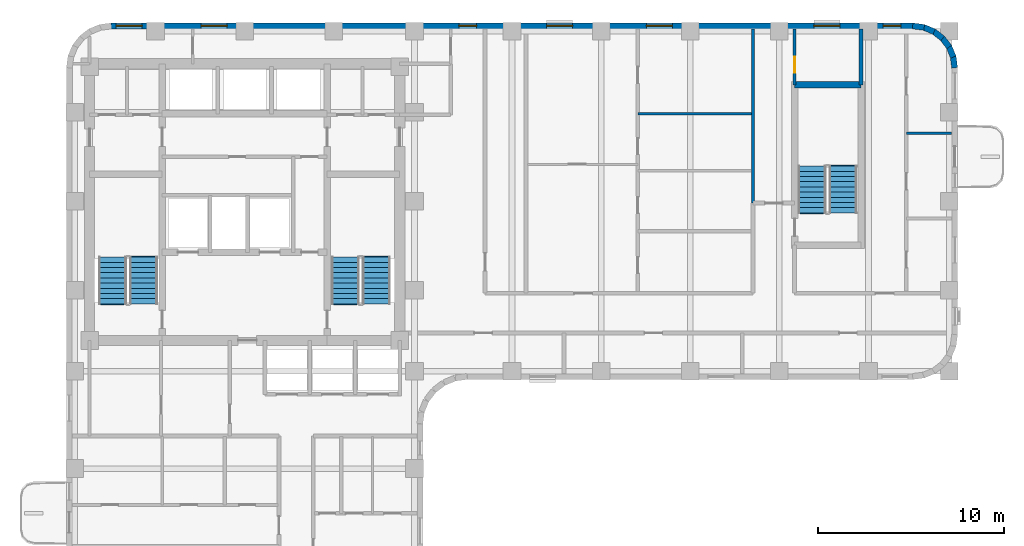
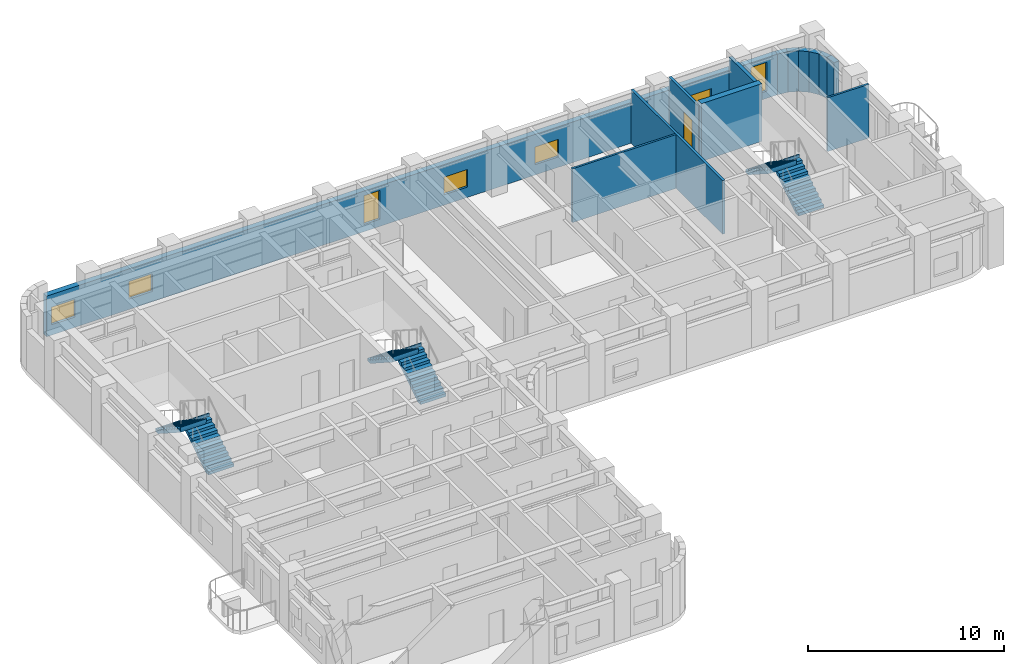
# One storey, part 7 of 10: 13 walls, 7 windows, 6 stair flights, 1 door, 8 openings, 3 elements without a shape of their own.
"""IFC4 building model written with IfcOpenShell, lengths in metres."""

from ifc_helpers import new_model, si_unit, direction, frame, frame_2d, origin, place, context, subcontext, project, spatial, polyline, rectangle, outline, extrude, material, layer, layer_set, type_object, element, fill, aggregate, save


model = new_model("IFC4")

# Units and contexts
model_context = context("Model", 3, precision=1e-05, world=origin(), true_north=direction((0.0, 1.0)))
body_context = subcontext(model_context, "Body", "Model", "MODEL_VIEW")
ifc_project = project(units=[si_unit("LENGTHUNIT", "METRE"), si_unit("AREAUNIT", "SQUARE_METRE"), si_unit("VOLUMEUNIT", "CUBIC_METRE"), si_unit("PLANEANGLEUNIT", "RADIAN"), si_unit("MASSUNIT", "GRAM", prefix="KILO")], contexts=[model_context])

# Site, building, storey
site_placement = place(None, origin())
site = spatial("IfcSite", under=ifc_project, at=site_placement, CompositionType="ELEMENT")
building_placement = place(site_placement, origin())
building = spatial("IfcBuilding", under=site, at=building_placement, Name="Orvandelia Arch Residences", CompositionType="ELEMENT")
storey_placement = place(building_placement, frame((0.0, 0.0, 139.60009765625)))
storey = spatial("IfcBuildingStorey", under=building, at=storey_placement, Name="L36", CompositionType="ELEMENT", Elevation=139.60009765625)

# Walls
ifc_material_1 = material(Name="Concrete C50/60", Category="concrete")
ifc_layer_1 = layer(ifc_material_1, 0.35009765625, Name="Concrete C50/60", Category="concrete")
ifc_layer_set_1 = layer_set([ifc_layer_1], Name="Concrete C50/60")
wall_type_1 = type_object("IfcWallType", Name="WL-CORE-350", PredefinedType="SHEAR", material=ifc_layer_set_1)
wall_1_placement = place(storey_placement, frame((44.02001953125, 44.659912109375, 0.0), z_axis=(0.0, 0.0, 1.0), x_axis=(1.0, 0.0, 0.0)))
element("IfcWall", 1, at=wall_1_placement, inside=storey, type_object=wall_type_1, Name="East Stair Core Shear Wall L36-N", PredefinedType="SHEAR", context=body_context, shape_type="SweptSolid", body=[
    extrude(rectangle(XDim=3.580078125, YDim=0.35009765625, at=frame_2d((1.7900390625, 0.0))), origin(), (0.0, 0.0, 1.0), 3.599853515625),
])
ifc_material_2 = material(Name="Concrete C40/50", Category="concrete")
ifc_layer_2 = layer(ifc_material_2, 0.199951171875, Name="Concrete C40/50", Category="concrete")
ifc_layer_set_2 = layer_set([ifc_layer_2], Name="Concrete C40/50")
wall_type_2 = type_object("IfcWallType", Name="WL-DEM-200", PredefinedType="SOLIDWALL", material=ifc_layer_set_2)
wall_2_placement = place(storey_placement, frame((47.60009765625, 44.659912109375, 0.0), z_axis=(0.0, 0.0, 1.0), x_axis=(0.0, 1.0, 0.0)))
element("IfcWall", 2, at=wall_2_placement, inside=storey, type_object=wall_type_2, Name="Interior Partition Wall WL-L36-ES-NST3E", PredefinedType="SOLIDWALL", context=body_context, shape_type="SweptSolid", body=[
    extrude(rectangle(XDim=3.02001953125, YDim=0.199951171875, at=frame_2d((1.510009765625, 0.0))), origin(), (0.0, 0.0, 1.0), 3.35986328125),
])

# Wall, openings, windows
ifc_material_3 = material(Name="Precast concrete C40/50", Category="concrete")
ifc_layer_3 = layer(ifc_material_3, 0.320068359375, Name="Precast concrete C40/50", Category="concrete")
ifc_layer_set_3 = layer_set([ifc_layer_3], Name="Precast concrete C40/50")
wall_type_3 = type_object("IfcWallType", Name="WL-EXT-STONE-320", PredefinedType="STANDARD", material=ifc_layer_set_3)
wall_3_placement = place(storey_placement, frame((7.199951171875, 47.840087890625, 0.0), z_axis=(0.0, 0.0, 1.0), x_axis=(1.0, 0.0, 0.0)))
wall_3 = element("IfcWall", 3, at=wall_3_placement, inside=storey, type_object=wall_type_3, Name="Coral-Limestone Precast Facade Wall L36-007", PredefinedType="STANDARD", context=body_context, shape_type="SweptSolid", body=[
    extrude(rectangle(XDim=43.199951171875, YDim=0.320068359375, at=frame_2d((21.60009765625, 0.0))), origin(), (0.0, 0.0, 1.0), 2.539794921875),
])
opening_1_placement = place(wall_3_placement, frame((28.841064453125, 0.0, 0.64990234375)))
opening_1 = element("IfcOpeningElement", 4, at=opening_1_placement, cuts=wall_3, Name="Opening W10", PredefinedType="OPENING", context=body_context, shape_type="SweptSolid", body=[
    extrude(rectangle(XDim=1.39990234375, YDim=1.10009765625, at=frame_2d((0.699951171875, 0.550048828125))), frame((0.0, 0.169921875, 0.0), z_axis=(0.0, -1.0, 0.0), x_axis=(1.0, 0.0, 0.0)), (0.0, 0.0, 1.0), 0.340087890625),
])
opening_2_placement = place(wall_3_placement, frame((18.739990234375, 0.0, 0.449951171875)))
opening_2 = element("IfcOpeningElement", 5, at=opening_2_placement, cuts=wall_3, Name="Opening W4", PredefinedType="OPENING", context=body_context, shape_type="SweptSolid", body=[
    extrude(rectangle(XDim=0.949951171875, YDim=1.800048828125, at=frame_2d((0.47509765625, 0.89990234375))), frame((0.0, 0.169921875, 0.0), z_axis=(0.0, -1.0, 0.0), x_axis=(1.0, 0.0, 0.0)), (0.0, 0.0, 1.0), 0.340087890625),
])
opening_3_placement = place(wall_3_placement, frame((37.862548828125, 0.0, 0.64990234375)))
opening_3 = element("IfcOpeningElement", 6, at=opening_3_placement, cuts=wall_3, Name="Opening W10", PredefinedType="OPENING", context=body_context, shape_type="SweptSolid", body=[
    extrude(rectangle(XDim=1.39990234375, YDim=1.10009765625, at=frame_2d((0.699951171875, 0.550048828125))), frame((0.0, 0.169921875, 0.0), z_axis=(0.0, -1.0, 0.0), x_axis=(1.0, 0.0, 0.0)), (0.0, 0.0, 1.0), 0.340087890625),
])
opening_4_placement = place(wall_3_placement, frame((0.282470703125, 0.0, 0.64990234375)))
opening_4 = element("IfcOpeningElement", 7, at=opening_4_placement, cuts=wall_3, Name="Opening W10", PredefinedType="OPENING", context=body_context, shape_type="SweptSolid", body=[
    extrude(rectangle(XDim=1.39990234375, YDim=1.10009765625, at=frame_2d((0.699951171875, 0.550048828125))), frame((0.0, 0.169921875, 0.0), z_axis=(0.0, -1.0, 0.0), x_axis=(1.0, 0.0, 0.0)), (0.0, 0.0, 1.0), 0.340087890625),
])
opening_5_placement = place(wall_3_placement, frame((4.8525390625, 0.0, 0.64990234375)))
opening_5 = element("IfcOpeningElement", 8, at=opening_5_placement, cuts=wall_3, Name="Opening W10", PredefinedType="OPENING", context=body_context, shape_type="SweptSolid", body=[
    extrude(rectangle(XDim=1.39990234375, YDim=1.10009765625, at=frame_2d((0.699951171875, 0.550048828125))), frame((0.0, 0.169921875, 0.0), z_axis=(0.0, -1.0, 0.0), x_axis=(1.0, 0.0, 0.0)), (0.0, 0.0, 1.0), 0.340087890625),
])
opening_6_placement = place(wall_3_placement, frame((23.467529296875, 0.0, 0.64990234375)))
opening_6 = element("IfcOpeningElement", 9, at=opening_6_placement, cuts=wall_3, Name="Opening W10", PredefinedType="OPENING", context=body_context, shape_type="SweptSolid", body=[
    extrude(rectangle(XDim=1.39990234375, YDim=1.10009765625, at=frame_2d((0.699951171875, 0.550048828125))), frame((0.0, 0.169921875, 0.0), z_axis=(0.0, -1.0, 0.0), x_axis=(1.0, 0.0, 0.0)), (0.0, 0.0, 1.0), 0.340087890625),
])
opening_7_placement = place(wall_3_placement, frame((41.593994140625, 0.0, 0.449951171875)))
opening_7 = element("IfcOpeningElement", 10, at=opening_7_placement, cuts=wall_3, Name="Opening W4", PredefinedType="OPENING", context=body_context, shape_type="SweptSolid", body=[
    extrude(rectangle(XDim=0.949951171875, YDim=1.800048828125, at=frame_2d((0.47509765625, 0.89990234375))), frame((0.0, 0.169921875, 0.0), z_axis=(0.0, -1.0, 0.0), x_axis=(1.0, 0.0, 0.0)), (0.0, 0.0, 1.0), 0.340087890625),
])
ifc_material_4 = material(Name="Tempered Low-E Insulated Glazing", Category="glass")
window_type_1 = type_object("IfcWindowType", Name="WIN-CLR-1400x1100", PartitioningType="SINGLE_PANEL", PredefinedType="WINDOW", material=ifc_material_4)
window_1_placement = place(opening_1_placement, origin())
window_1 = element("IfcWindow", 11, at=window_1_placement, inside=storey, type_object=window_type_1, Name="Recessed Punched Window L36-001", OverallHeight=1.10009765625, OverallWidth=1.39990234375, PartitioningType="SINGLE_PANEL", PredefinedType="WINDOW", context=body_context, shape_type="SweptSolid", body=[
    extrude(rectangle(XDim=1.39990234375, YDim=1.10009765625, at=frame_2d((0.699951171875, 0.550048828125))), frame((0.0, 0.030029296875, 0.0), z_axis=(0.0, -1.0, 0.0), x_axis=(1.0, 0.0, 0.0)), (0.0, 0.0, 1.0), 0.06005859375),
])
fill(opening_1, window_1)
window_2_placement = place(opening_3_placement, origin())
window_2 = element("IfcWindow", 12, at=window_2_placement, inside=storey, type_object=window_type_1, Name="Recessed Punched Window L36-003", OverallHeight=1.10009765625, OverallWidth=1.39990234375, PartitioningType="SINGLE_PANEL", PredefinedType="WINDOW", context=body_context, shape_type="SweptSolid", body=[
    extrude(rectangle(XDim=1.39990234375, YDim=1.10009765625, at=frame_2d((0.699951171875, 0.550048828125))), frame((0.0, 0.030029296875, 0.0), z_axis=(0.0, -1.0, 0.0), x_axis=(1.0, 0.0, 0.0)), (0.0, 0.0, 1.0), 0.06005859375),
])
fill(opening_3, window_2)
window_3_placement = place(opening_4_placement, origin())
window_3 = element("IfcWindow", 13, at=window_3_placement, inside=storey, type_object=window_type_1, Name="Recessed Punched Window L36-004", OverallHeight=1.10009765625, OverallWidth=1.39990234375, PartitioningType="SINGLE_PANEL", PredefinedType="WINDOW", context=body_context, shape_type="SweptSolid", body=[
    extrude(rectangle(XDim=1.39990234375, YDim=1.10009765625, at=frame_2d((0.699951171875, 0.550048828125))), frame((0.0, 0.030029296875, 0.0), z_axis=(0.0, -1.0, 0.0), x_axis=(1.0, 0.0, 0.0)), (0.0, 0.0, 1.0), 0.06005859375),
])
fill(opening_4, window_3)
window_4_placement = place(opening_5_placement, origin())
window_4 = element("IfcWindow", 14, at=window_4_placement, inside=storey, type_object=window_type_1, Name="Recessed Punched Window L36-005", OverallHeight=1.10009765625, OverallWidth=1.39990234375, PartitioningType="SINGLE_PANEL", PredefinedType="WINDOW", context=body_context, shape_type="SweptSolid", body=[
    extrude(rectangle(XDim=1.39990234375, YDim=1.10009765625, at=frame_2d((0.699951171875, 0.550048828125))), frame((0.0, 0.030029296875, 0.0), z_axis=(0.0, -1.0, 0.0), x_axis=(1.0, 0.0, 0.0)), (0.0, 0.0, 1.0), 0.06005859375),
])
fill(opening_5, window_4)
window_5_placement = place(opening_6_placement, origin())
window_5 = element("IfcWindow", 15, at=window_5_placement, inside=storey, type_object=window_type_1, Name="Recessed Punched Window L36-006", OverallHeight=1.10009765625, OverallWidth=1.39990234375, PartitioningType="SINGLE_PANEL", PredefinedType="WINDOW", context=body_context, shape_type="SweptSolid", body=[
    extrude(rectangle(XDim=1.39990234375, YDim=1.10009765625, at=frame_2d((0.699951171875, 0.550048828125))), frame((0.0, 0.030029296875, 0.0), z_axis=(0.0, -1.0, 0.0), x_axis=(1.0, 0.0, 0.0)), (0.0, 0.0, 1.0), 0.06005859375),
])
fill(opening_6, window_5)
window_type_2 = type_object("IfcWindowType", Name="WIN-RES-0950x1800", PartitioningType="SINGLE_PANEL", PredefinedType="WINDOW", material=ifc_material_4)
window_6_placement = place(opening_2_placement, origin())
window_6 = element("IfcWindow", 16, at=window_6_placement, inside=storey, type_object=window_type_2, Name="Recessed Punched Window L36-002", OverallHeight=1.800048828125, OverallWidth=0.949951171875, PartitioningType="SINGLE_PANEL", PredefinedType="WINDOW", context=body_context, shape_type="SweptSolid", body=[
    extrude(rectangle(XDim=0.949951171875, YDim=1.800048828125, at=frame_2d((0.47509765625, 0.89990234375))), frame((0.0, 0.030029296875, 0.0), z_axis=(0.0, -1.0, 0.0), x_axis=(1.0, 0.0, 0.0)), (0.0, 0.0, 1.0), 0.06005859375),
])
fill(opening_2, window_6)
window_7_placement = place(opening_7_placement, origin())
window_7 = element("IfcWindow", 17, at=window_7_placement, inside=storey, type_object=window_type_2, Name="Recessed Punched Window L36-007", OverallHeight=1.800048828125, OverallWidth=0.949951171875, PartitioningType="SINGLE_PANEL", PredefinedType="WINDOW", context=body_context, shape_type="SweptSolid", body=[
    extrude(rectangle(XDim=0.949951171875, YDim=1.800048828125, at=frame_2d((0.47509765625, 0.89990234375))), frame((0.0, 0.030029296875, 0.0), z_axis=(0.0, -1.0, 0.0), x_axis=(1.0, 0.0, 0.0)), (0.0, 0.0, 1.0), 0.06005859375),
])
fill(opening_7, window_7)

# Walls
for number, where, z_axis, x_axis, name in (
    (18, (50.379150390625, 47.84130859375, 0.0), (0.0, 0.0, 1.0), (0.9914410257, -0.130555323746, 0.0), "Coral-Limestone Precast Facade Wall L36-008"),
    (19, (50.9599609375, 47.7705078125, 0.0), (0.0, 0.0, 1.0), (0.92389335771, -0.382650053678, 0.0), "Coral-Limestone Precast Facade Wall L36-009"),
    (20, (51.502685546875, 47.551513671875, 0.0), (0.0, 0.0, 1.0), (0.793405610854, -0.608693302629, 0.0), "Coral-Limestone Precast Facade Wall L36-010"),
    (21, (51.97021484375, 47.19970703125, 0.0), (0.0, 0.0, 1.0), (0.608693302629, -0.793405610854, 0.0), "Coral-Limestone Precast Facade Wall L36-011"),
    (22, (52.330810546875, 46.73876953125, 0.0), (0.0, 0.0, 1.0), (0.382317370307, -0.924031075431, 0.0), "Coral-Limestone Precast Facade Wall L36-012"),
    (23, (52.5595703125, 46.2001953125, 0.0), (0.0, 0.0, 1.0), (0.130555323746, -0.9914410257, 0.0), "Coral-Limestone Precast Facade Wall L36-013"),
):
    element("IfcWall", number, at=place(storey_placement, frame(where, z_axis=z_axis, x_axis=x_axis)), inside=storey, type_object=wall_type_3, Name=name, PredefinedType="STANDARD", context=body_context, shape_type="SweptSolid", body=[
        extrude(rectangle(XDim=0.62646484375, YDim=0.320068359375, at=frame_2d((0.313232421875, 0.0))), origin(), (0.0, 0.0, 1.0), 2.539794921875),
    ])
ifc_material_5 = material(Name="Lightweight Gypsum Stud Partition")
ifc_layer_4 = layer(ifc_material_5, 0.1201171875, Name="Lightweight Gypsum Stud Partition")
ifc_layer_set_4 = layer_set([ifc_layer_4], Name="Lightweight Gypsum Stud Partition")
wall_type_4 = type_object("IfcWallType", Name="WL-PART-120", PredefinedType="PARTITIONING", material=ifc_layer_set_4)
wall_4_placement = place(storey_placement, frame((35.576904296875, 43.10693359375, 0.0), z_axis=(0.0, 0.0, 1.0), x_axis=(1.0, 0.0, 0.0)))
element("IfcWall", 24, at=wall_4_placement, inside=storey, type_object=wall_type_4, Name="Interior Partition Wall WL-L36-U06-H2", PredefinedType="PARTITIONING", context=body_context, shape_type="SweptSolid", body=[
    extrude(rectangle(XDim=6.123046875, YDim=0.1201171875, at=frame_2d((3.0615234375, 0.0))), origin(), (0.0, 0.0, 1.0), 3.35986328125),
])
wall_5_placement = place(storey_placement, frame((50.04296875, 42.06396484375, 0.0), z_axis=(0.0, 0.0, 1.0), x_axis=(1.0, 0.0, 0.0)))
element("IfcWall", 25, at=wall_5_placement, inside=storey, type_object=wall_type_4, Name="Interior Partition Wall WL-L36-U07-H2", PredefinedType="PARTITIONING", context=body_context, shape_type="SweptSolid", body=[
    extrude(rectangle(XDim=2.43701171875, YDim=0.1201171875, at=frame_2d((1.218505859375, 0.0))), origin(), (0.0, 0.0, 1.0), 3.35986328125),
])
ifc_material_6 = material(Name="Acoustic Gypsum Stud Partition")
ifc_layer_5 = layer(ifc_material_6, 0.14990234375, Name="Acoustic Gypsum Stud Partition")
ifc_layer_set_5 = layer_set([ifc_layer_5], Name="Acoustic Gypsum Stud Partition")
wall_type_5 = type_object("IfcWallType", Name="WL-PART-150", PredefinedType="PARTITIONING", material=ifc_layer_set_5)
wall_6_placement = place(storey_placement, frame((41.780029296875, 38.300048828125, 0.0), z_axis=(0.0, 0.0, 1.0), x_axis=(0.0, 1.0, 0.0)))
element("IfcWall", 26, at=wall_6_placement, inside=storey, type_object=wall_type_5, Name="Interior Partition Wall WL-L36-ES-SPKW", PredefinedType="PARTITIONING", context=body_context, shape_type="SweptSolid", body=[
    extrude(rectangle(XDim=9.3798828125, YDim=0.14990234375, at=frame_2d((4.68994140625, 0.0))), origin(), (0.0, 0.0, 1.0), 3.35986328125),
])

# Wall, opening, door
wall_7_placement = place(storey_placement, frame((44.02001953125, 44.659912109375, 0.0), z_axis=(0.0, 0.0, 1.0), x_axis=(0.0, 1.0, 0.0)))
wall_7 = element("IfcWall", 27, at=wall_7_placement, inside=storey, type_object=wall_type_5, Name="Interior Partition Wall WL-L36-ES-NST3W", PredefinedType="PARTITIONING", context=body_context, shape_type="SweptSolid", body=[
    extrude(rectangle(XDim=3.02001953125, YDim=0.14990234375, at=frame_2d((1.510009765625, 0.0))), origin(), (0.0, 0.0, 1.0), 3.35986328125),
])
opening_8_placement = place(wall_7_placement, frame((0.64990234375, 0.0, 0.0)))
opening_8 = element("IfcOpeningElement", 28, at=opening_8_placement, cuts=wall_7, Name="Opening D5", PredefinedType="OPENING", context=body_context, shape_type="SweptSolid", body=[
    extrude(rectangle(XDim=0.8798828125, YDim=2.10009765625, at=frame_2d((0.43994140625, 1.050048828125))), frame((0.0, 0.0849609375, 0.0), z_axis=(0.0, -1.0, 0.0), x_axis=(1.0, 0.0, 0.0)), (0.0, 0.0, 1.0), 0.169921875),
])
ifc_material_7 = material(Name="Painted Galvanised Steel Service Door", Category="steel")
door_type = type_object("IfcDoorType", Name="DR-SRV-880", OperationType="NOTDEFINED", PredefinedType="DOOR", material=ifc_material_7)
door_placement = place(opening_8_placement, origin())
door = element("IfcDoor", 29, at=door_placement, inside=storey, type_object=door_type, Name="DR-L36-ESNST3", OperationType="SINGLE_SWING_RIGHT", OverallHeight=2.10009765625, OverallWidth=0.8798828125, PredefinedType="DOOR", context=body_context, shape_type="SweptSolid", body=[
    extrude(rectangle(XDim=0.8798828125, YDim=2.10009765625, at=frame_2d((0.43994140625, 1.050048828125))), frame((0.0, 0.02490234375, 0.0), z_axis=(0.0, -1.0, 0.0), x_axis=(1.0, 0.0, 0.0)), (0.0, 0.0, 1.0), 0.050048828125),
])
fill(opening_8, door)

# Stair, stair flights
stair_type = type_object("IfcStairType", Name="STAIR-RC-DOGLEG", PredefinedType="HALF_TURN_STAIR", material=ifc_material_2)
stair_1_placement = place(storey_placement, origin())
stair_1 = element("IfcStair", 30, at=stair_1_placement, inside=storey, type_object=stair_type, Name="L36 Protected Exit Stair ST-1", PredefinedType="HALF_TURN_STAIR")
stair_flight_type = type_object("IfcStairFlightType", Name="STFLT-RC-1520", PredefinedType="STRAIGHT", material=ifc_material_2)
stair_flight_1_placement = place(storey_placement, frame((8.9599609375, 32.8701171875, 0.0), z_axis=(0.0, 0.0, 1.0), x_axis=(0.0, 1.0, 0.0)))
stair_flight_1 = element("IfcStairFlight", 31, at=stair_flight_1_placement, type_object=stair_flight_type, Name="ST-1 flight 1", NumberOfRisers=10, NumberOfTreads=9, PredefinedType="STRAIGHT", RiserHeight=0.18, TreadLength=0.28, context=body_context, shape_type="SweptSolid", body=[
    extrude(outline(polyline([(0.0, 0.0), (0.0, 0.179931640625), (0.280029296875, 0.179931640625), (0.280029296875, 0.360107421875), (0.56005859375, 0.360107421875), (0.56005859375, 0.5400390625), (0.840087890625, 0.5400390625), (0.840087890625, 0.719970703125), (1.1201171875, 0.719970703125), (1.1201171875, 0.89990234375), (1.39990234375, 0.89990234375), (1.39990234375, 1.080078125), (1.679931640625, 1.080078125), (1.679931640625, 1.260009765625), (1.9599609375, 1.260009765625), (1.9599609375, 1.43994140625), (2.239990234375, 1.43994140625), (2.239990234375, 1.6201171875), (2.52001953125, 1.6201171875), (2.52001953125, 1.800048828125), (2.580078125, 1.800048828125), (2.580078125, 1.6201171875), (2.52001953125, 1.44189453125), (0.277099609375, 0.0), (0.0, 0.0)])), frame((0.0, 0.760009765625, 0.0), z_axis=(0.0, -1.0, 0.0), x_axis=(1.0, 0.0, 0.0)), (0.0, 0.0, 1.0), 1.52001953125),
])
stair_flight_2_placement = place(storey_placement, frame((7.2900390625, 35.389892578125, 1.7998046875), z_axis=(0.0, 0.0, 1.0), x_axis=(0.0, -1.0, 0.0)))
stair_flight_2 = element("IfcStairFlight", 32, at=stair_flight_2_placement, type_object=stair_flight_type, Name="ST-1 flight 2", NumberOfRisers=10, NumberOfTreads=9, PredefinedType="STRAIGHT", RiserHeight=0.18, TreadLength=0.28, context=body_context, shape_type="SweptSolid", body=[
    extrude(outline(polyline([(0.0, 0.0), (0.0, 0.179931640625), (0.280029296875, 0.179931640625), (0.280029296875, 0.360107421875), (0.56005859375, 0.360107421875), (0.56005859375, 0.5400390625), (0.840087890625, 0.5400390625), (0.840087890625, 0.719970703125), (1.1201171875, 0.719970703125), (1.1201171875, 0.89990234375), (1.39990234375, 0.89990234375), (1.39990234375, 1.080078125), (1.679931640625, 1.080078125), (1.679931640625, 1.260009765625), (1.9599609375, 1.260009765625), (1.9599609375, 1.43994140625), (2.239990234375, 1.43994140625), (2.239990234375, 1.6201171875), (2.52001953125, 1.6201171875), (2.52001953125, 1.800048828125), (2.580078125, 1.800048828125), (2.580078125, 1.6201171875), (2.52001953125, 1.44189453125), (0.277099609375, 0.0), (0.0, 0.0)])), frame((0.0, 0.760009765625, 0.0), z_axis=(0.0, -1.0, 0.0), x_axis=(1.0, 0.0, 0.0)), (0.0, 0.0, 1.0), 1.52001953125),
])
aggregate(stair_1, [stair_flight_1, stair_flight_2])

stair_2_placement = place(storey_placement, origin())
stair_2 = element("IfcStair", 33, at=stair_2_placement, inside=storey, type_object=stair_type, Name="L36 Protected Exit Stair ST-2", PredefinedType="HALF_TURN_STAIR")
stair_flight_3_placement = place(storey_placement, frame((21.489990234375, 32.8701171875, 0.0), z_axis=(0.0, 0.0, 1.0), x_axis=(0.0, 1.0, 0.0)))
stair_flight_3 = element("IfcStairFlight", 34, at=stair_flight_3_placement, type_object=stair_flight_type, Name="ST-2 flight 1", NumberOfRisers=10, NumberOfTreads=9, PredefinedType="STRAIGHT", RiserHeight=0.18, TreadLength=0.28, context=body_context, shape_type="SweptSolid", body=[
    extrude(outline(polyline([(0.0, 0.0), (0.0, 0.179931640625), (0.280029296875, 0.179931640625), (0.280029296875, 0.360107421875), (0.56005859375, 0.360107421875), (0.56005859375, 0.5400390625), (0.840087890625, 0.5400390625), (0.840087890625, 0.719970703125), (1.1201171875, 0.719970703125), (1.1201171875, 0.89990234375), (1.39990234375, 0.89990234375), (1.39990234375, 1.080078125), (1.679931640625, 1.080078125), (1.679931640625, 1.260009765625), (1.9599609375, 1.260009765625), (1.9599609375, 1.43994140625), (2.239990234375, 1.43994140625), (2.239990234375, 1.6201171875), (2.52001953125, 1.6201171875), (2.52001953125, 1.800048828125), (2.580078125, 1.800048828125), (2.580078125, 1.6201171875), (2.52001953125, 1.44189453125), (0.277099609375, 0.0), (0.0, 0.0)])), frame((0.0, 0.760009765625, 0.0), z_axis=(0.0, -1.0, 0.0), x_axis=(1.0, 0.0, 0.0)), (0.0, 0.0, 1.0), 1.52001953125),
])
stair_flight_4_placement = place(storey_placement, frame((19.820068359375, 35.389892578125, 1.7998046875), z_axis=(0.0, 0.0, 1.0), x_axis=(0.0, -1.0, 0.0)))
stair_flight_4 = element("IfcStairFlight", 35, at=stair_flight_4_placement, type_object=stair_flight_type, Name="ST-2 flight 2", NumberOfRisers=10, NumberOfTreads=9, PredefinedType="STRAIGHT", RiserHeight=0.18, TreadLength=0.28, context=body_context, shape_type="SweptSolid", body=[
    extrude(outline(polyline([(0.0, 0.0), (0.0, 0.179931640625), (0.280029296875, 0.179931640625), (0.280029296875, 0.360107421875), (0.56005859375, 0.360107421875), (0.56005859375, 0.5400390625), (0.840087890625, 0.5400390625), (0.840087890625, 0.719970703125), (1.1201171875, 0.719970703125), (1.1201171875, 0.89990234375), (1.39990234375, 0.89990234375), (1.39990234375, 1.080078125), (1.679931640625, 1.080078125), (1.679931640625, 1.260009765625), (1.9599609375, 1.260009765625), (1.9599609375, 1.43994140625), (2.239990234375, 1.43994140625), (2.239990234375, 1.6201171875), (2.52001953125, 1.6201171875), (2.52001953125, 1.800048828125), (2.580078125, 1.800048828125), (2.580078125, 1.6201171875), (2.52001953125, 1.44189453125), (0.277099609375, 0.0), (0.0, 0.0)])), frame((0.0, 0.760009765625, 0.0), z_axis=(0.0, -1.0, 0.0), x_axis=(1.0, 0.0, 0.0)), (0.0, 0.0, 1.0), 1.52001953125),
])
aggregate(stair_2, [stair_flight_3, stair_flight_4])

stair_3_placement = place(storey_placement, origin())
stair_3 = element("IfcStair", 36, at=stair_3_placement, inside=storey, type_object=stair_type, Name="L36 East Wing Exit Stair ST-3", PredefinedType="HALF_TURN_STAIR")
stair_flight_5_placement = place(storey_placement, frame((46.639892578125, 37.77001953125, 0.0), z_axis=(0.0, 0.0, 1.0), x_axis=(0.0, 1.0, 0.0)))
stair_flight_5 = element("IfcStairFlight", 37, at=stair_flight_5_placement, type_object=stair_flight_type, Name="ST-3 flight 1", NumberOfRisers=10, NumberOfTreads=9, PredefinedType="STRAIGHT", RiserHeight=0.18, TreadLength=0.28, context=body_context, shape_type="SweptSolid", body=[
    extrude(outline(polyline([(0.0, 0.0), (0.0, 0.179931640625), (0.280029296875, 0.179931640625), (0.280029296875, 0.360107421875), (0.56005859375, 0.360107421875), (0.56005859375, 0.5400390625), (0.840087890625, 0.5400390625), (0.840087890625, 0.719970703125), (1.1201171875, 0.719970703125), (1.1201171875, 0.89990234375), (1.39990234375, 0.89990234375), (1.39990234375, 1.080078125), (1.679931640625, 1.080078125), (1.679931640625, 1.260009765625), (1.9599609375, 1.260009765625), (1.9599609375, 1.43994140625), (2.239990234375, 1.43994140625), (2.239990234375, 1.6201171875), (2.52001953125, 1.6201171875), (2.52001953125, 1.800048828125), (2.580078125, 1.800048828125), (2.580078125, 1.6201171875), (2.52001953125, 1.44189453125), (0.277099609375, 0.0), (0.0, 0.0)])), frame((0.0, 0.760009765625, 0.0), z_axis=(0.0, -1.0, 0.0), x_axis=(1.0, 0.0, 0.0)), (0.0, 0.0, 1.0), 1.52001953125),
])
stair_flight_6_placement = place(storey_placement, frame((44.969970703125, 40.2900390625, 1.7998046875), z_axis=(0.0, 0.0, 1.0), x_axis=(0.0, -1.0, 0.0)))
stair_flight_6 = element("IfcStairFlight", 38, at=stair_flight_6_placement, type_object=stair_flight_type, Name="ST-3 flight 2", NumberOfRisers=10, NumberOfTreads=9, PredefinedType="STRAIGHT", RiserHeight=0.18, TreadLength=0.28, context=body_context, shape_type="SweptSolid", body=[
    extrude(outline(polyline([(0.0, 0.0), (0.0, 0.179931640625), (0.280029296875, 0.179931640625), (0.280029296875, 0.360107421875), (0.56005859375, 0.360107421875), (0.56005859375, 0.5400390625), (0.840087890625, 0.5400390625), (0.840087890625, 0.719970703125), (1.1201171875, 0.719970703125), (1.1201171875, 0.89990234375), (1.39990234375, 0.89990234375), (1.39990234375, 1.080078125), (1.679931640625, 1.080078125), (1.679931640625, 1.260009765625), (1.9599609375, 1.260009765625), (1.9599609375, 1.43994140625), (2.239990234375, 1.43994140625), (2.239990234375, 1.6201171875), (2.52001953125, 1.6201171875), (2.52001953125, 1.800048828125), (2.580078125, 1.800048828125), (2.580078125, 1.6201171875), (2.52001953125, 1.44189453125), (0.277099609375, 0.0), (0.0, 0.0)])), frame((0.0, 0.760009765625, 0.0), z_axis=(0.0, -1.0, 0.0), x_axis=(1.0, 0.0, 0.0)), (0.0, 0.0, 1.0), 1.52001953125),
])
aggregate(stair_3, [stair_flight_5, stair_flight_6])

save(model, "model.ifc")
